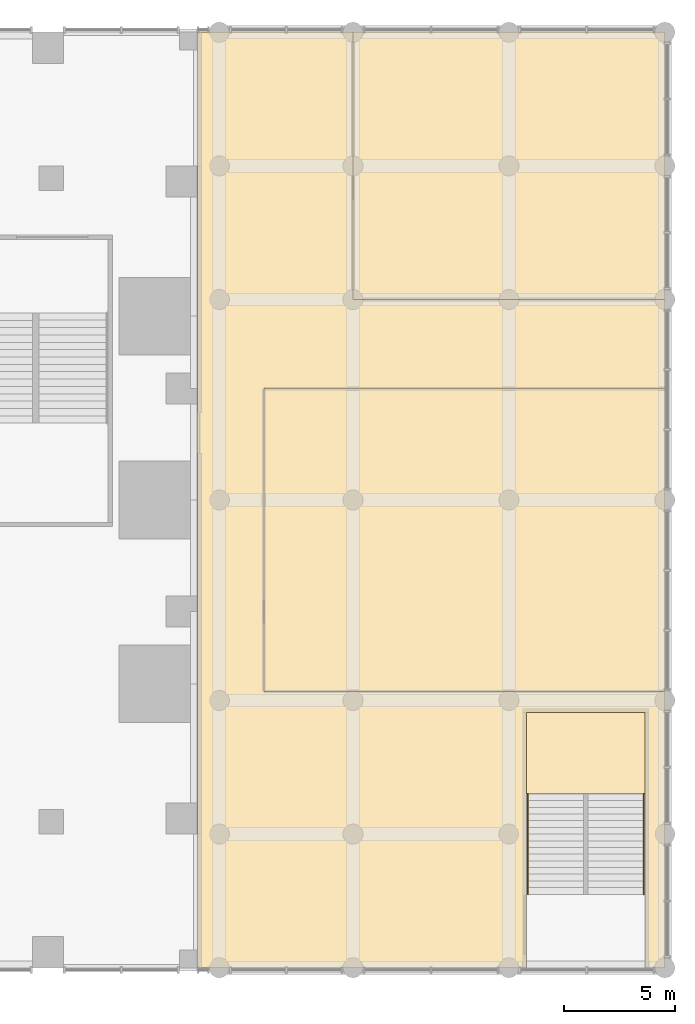
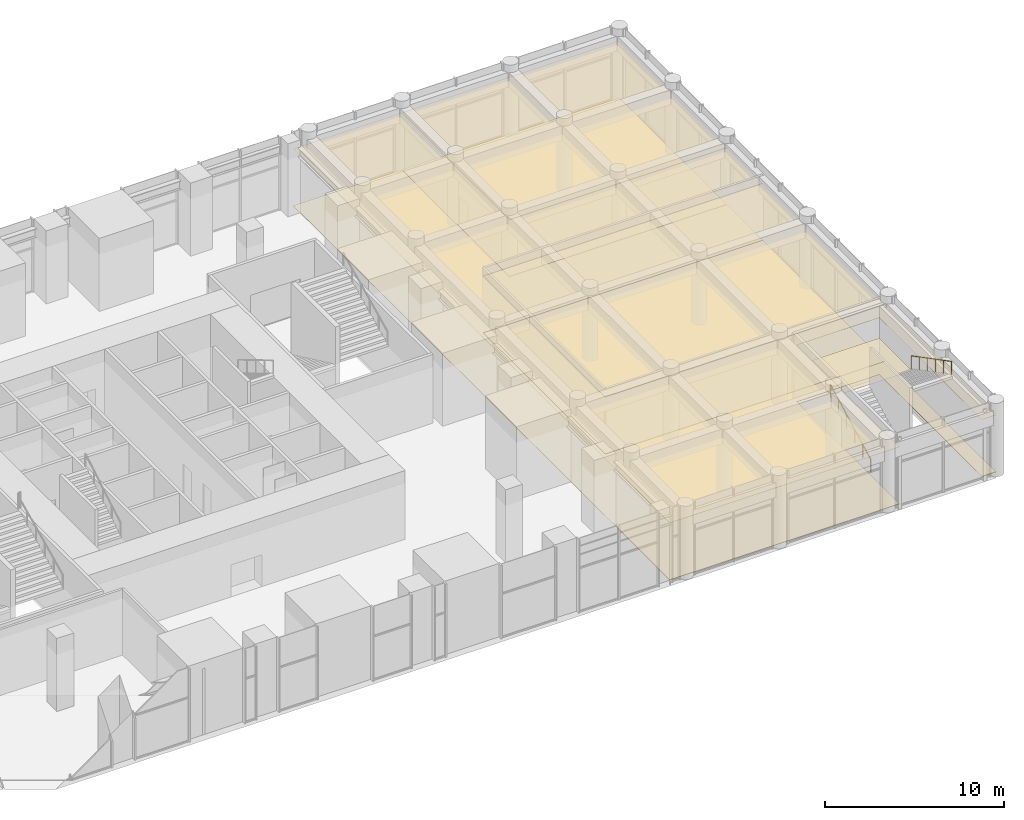
# One storey, part 23 of 23: 7 coverings, 2 railings.
"""IFC4 building model written with IfcOpenShell, lengths in metres."""

import ifcopenshell
import ifcopenshell.guid

model = None  # the IFC model being written
_history = None  # IfcOwnerHistory: only IFC2X3 demands one
_inside = {}  # id of a spatial element -> (the spatial element, [elements in it])
_under = {}  # id of a project, library or spatial element -> (it, [spatial elements below it])
_declared = {}  # id of a project -> (the project, [libraries it declares])
_typed = {}  # id of a type object -> (the type object, [elements of that type])
_made_of = {}  # id of a material, layer set ... -> (it, [elements and type objects made of it])


def new_model(schema):
    """Start an empty IFC model of exactly this schema.

    Asked for "IFC4X3", IfcOpenShell would pick the latest addendum, in which some entities
    have other attributes; the version numbers below select the first issue.
    IFC2X3 requires an IfcOwnerHistory on every rooted entity: one is made here for all.
    """
    global model, _history
    if schema == "IFC4X3":
        model = ifcopenshell.file(schema_version=(4, 3, 0, 0))
    else:
        model = ifcopenshell.file(schema=schema)
    _inside.clear()
    _under.clear()
    _declared.clear()
    _typed.clear()
    _made_of.clear()
    _history = None
    if model.schema == "IFC2X3":
        org = make("IfcOrganization", Name="unknown")
        user = make(
            "IfcPersonAndOrganization",
            ThePerson=make("IfcPerson", FamilyName="unknown"),
            TheOrganization=org,
        )
        app = make(
            "IfcApplication",
            ApplicationDeveloper=org,
            Version="unknown",
            ApplicationFullName="unknown",
            ApplicationIdentifier="unknown",
        )
        _history = make(
            "IfcOwnerHistory",
            OwningUser=user,
            OwningApplication=app,
            ChangeAction="ADDED",
            CreationDate=0,
        )
    return model


def make(cls, **values):
    """One entity of the class cls with the attributes given. An attribute that is None is left unset."""
    return model.create_entity(
        cls, **{name: value for name, value in values.items() if value is not None}
    )


def rooted(cls, **values):
    """An entity with a GlobalId (a new one), such as an element, a storey or a relation."""
    return make(cls, GlobalId=ifcopenshell.guid.new(), OwnerHistory=_history, **values)


def si_unit(unit_type, name, prefix=None):
    """IfcSIUnit, for example si_unit("LENGTHUNIT", "METRE", prefix="MILLI")."""
    return make("IfcSIUnit", UnitType=unit_type, Prefix=prefix, Name=name)


def assignment(units):
    """IfcUnitAssignment: the units of a project."""
    return None if units is None else make("IfcUnitAssignment", Units=units)


def point(xyz):
    """IfcCartesianPoint."""
    return None if xyz is None else make("IfcCartesianPoint", Coordinates=xyz)


def direction(xyz):
    """IfcDirection."""
    return None if xyz is None else make("IfcDirection", DirectionRatios=xyz)


def frame(location, z_axis=None, x_axis=None):
    """IfcAxis2Placement3D, a coordinate frame: its origin and axes. An axis left out is left unset."""
    return make(
        "IfcAxis2Placement3D",
        Location=point(location),
        Axis=direction(z_axis),
        RefDirection=direction(x_axis),
    )


def frame_2d(location, x_axis=None):
    """IfcAxis2Placement2D, a coordinate frame in the plane: its origin and x axis."""
    return make(
        "IfcAxis2Placement2D", Location=point(location), RefDirection=direction(x_axis)
    )


def origin():
    """The frame at (0, 0, 0) with its axes left unset."""
    return frame((0.0, 0.0, 0.0))


def origin_2d():
    """The frame at (0, 0) in the plane with its x axis left unset."""
    return frame_2d((0.0, 0.0))


def place(relative_to, where):
    """IfcLocalPlacement: puts the frame where relative to a parent placement (None: the world)."""
    return make(
        "IfcLocalPlacement", PlacementRelTo=relative_to, RelativePlacement=where
    )


def context(
    kind, dimensions, precision=None, world=None, true_north=None, identifier=None
):
    """IfcGeometricRepresentationContext, for example the 3D "Model" context."""
    return make(
        "IfcGeometricRepresentationContext",
        ContextIdentifier=identifier,
        ContextType=kind,
        CoordinateSpaceDimension=dimensions,
        Precision=precision,
        WorldCoordinateSystem=world,
        TrueNorth=true_north,
    )


def subcontext(parent, identifier, kind, view, scale=None):
    """IfcGeometricRepresentationSubContext, for example "Body" below "Model"."""
    return make(
        "IfcGeometricRepresentationSubContext",
        ContextIdentifier=identifier,
        ContextType=kind,
        ParentContext=parent,
        TargetScale=scale,
        TargetView=view,
    )


def project(units=None, contexts=None):
    """IfcProject with its units and contexts."""
    return rooted(
        "IfcProject",
        Name="project",
        RepresentationContexts=contexts,
        UnitsInContext=assignment(units),
    )


def spatial(cls, under=None, at=None, **own):
    """A site, building, storey or space (cls), placed at a placement, below another one or the project."""
    s = rooted(cls, ObjectPlacement=at, **own)
    if under is not None:
        _under.setdefault(under.id(), (under, []))[1].append(s)
    return s


def polyline(points):
    """IfcPolyline through the points."""
    return make("IfcPolyline", Points=[point(p) for p in points])


def profile(cls, at=None, kind="AREA", **sizes):
    """A parametric profile (cls). Its sizes go by their IFC names, for example OverallWidth=200.0."""
    return make(cls, ProfileType=kind, Position=at, **sizes)


def circle(**sizes):
    """IfcCircleProfileDef."""
    return profile("IfcCircleProfileDef", **sizes)


def outline(outer, holes=None, kind="AREA"):
    """IfcArbitraryClosedProfileDef: a profile drawn as a closed curve; with holes, ...WithVoids."""
    if holes is None:
        return make("IfcArbitraryClosedProfileDef", ProfileType=kind, OuterCurve=outer)
    return make(
        "IfcArbitraryProfileDefWithVoids",
        ProfileType=kind,
        OuterCurve=outer,
        InnerCurves=holes,
    )


def extrude(swept, where, along, depth):
    """IfcExtrudedAreaSolid: the profile swept, set in the frame where, extruded along a direction by depth."""
    return make(
        "IfcExtrudedAreaSolid",
        SweptArea=swept,
        Position=where,
        ExtrudedDirection=direction(along),
        Depth=depth,
    )


def shape(context_of_items, identifier, shape_type, items):
    """IfcShapeRepresentation: the items that make up one representation, for example the "Body"."""
    return make(
        "IfcShapeRepresentation",
        ContextOfItems=context_of_items,
        RepresentationIdentifier=identifier,
        RepresentationType=shape_type,
        Items=items,
    )


def material(Name=None, Category=None):
    """IfcMaterial."""
    return make("IfcMaterial", Name=Name, Category=Category)


def layer(
    of_material, thickness, ventilated=None, Name=None, Category=None, Priority=None
):
    """IfcMaterialLayer: one layer of a wall or slab, of a material (None: an air gap)."""
    return make(
        "IfcMaterialLayer",
        Material=of_material,
        LayerThickness=thickness,
        IsVentilated=ventilated,
        Name=Name,
        Category=Category,
        Priority=Priority,
    )


def layer_set(layers, Name=None):
    """IfcMaterialLayerSet."""
    return make("IfcMaterialLayerSet", MaterialLayers=layers, LayerSetName=Name)


def made_of(thing, what):
    """Note that an element or type object is made of a material, layer set ...; save() writes the relation."""
    if what is not None:
        _made_of.setdefault(what.id(), (what, []))[1].append(thing)
    return thing


def type_object(cls, material=None, **own):
    """A type object (cls), such as IfcWallType, which elements share."""
    return made_of(rooted(cls, **own), material)


def element(
    cls,
    number,
    at=None,
    inside=None,
    cuts=None,
    type_object=None,
    material=None,
    context=None,
    identifier="Body",
    shape_type=None,
    held_by="IfcProductDefinitionShape",
    body=None,
    shapes=None,
    **own,
):
    """One element of the class cls, such as IfcWall. Its Tag is "e" and its number.

    at: its placement. inside: the storey or other place that contains it. cuts: it is an
    opening in that element (IfcRelVoidsElement). A single representation is given by context,
    identifier, shape_type and body (its items); several are given by shapes. held_by: the class
    of the entity that holds the representations. save() writes the other relations.
    """
    e = rooted(cls, Tag="e%d" % number, ObjectPlacement=at, **own)
    if body is not None:
        shapes = [shape(context, identifier, shape_type, body)]
    if shapes is not None:
        e.Representation = make(held_by, Representations=shapes)
    if inside is not None:
        _inside.setdefault(inside.id(), (inside, []))[1].append(e)
    if cuts is not None:
        rooted(
            "IfcRelVoidsElement", RelatingBuildingElement=cuts, RelatedOpeningElement=e
        )
    if type_object is not None:
        _typed.setdefault(type_object.id(), (type_object, []))[1].append(e)
    return made_of(e, material)


def aggregate(whole, parts):
    """IfcRelAggregates: a whole, such as a stair, and the parts it consists of."""
    return rooted("IfcRelAggregates", RelatingObject=whole, RelatedObjects=parts)


def save(model, path):
    """Write the relations noted so far, then the file.

    IfcRelAggregates (storeys below a building ...), IfcRelContainedInSpatialStructure (elements
    in a storey), IfcRelDefinesByType, IfcRelAssociatesMaterial and IfcRelDeclares: one each for
    every whole, place, type object, material and project.
    """
    for whole, parts in _under.values():
        aggregate(whole, parts)
    for where, things in _inside.values():
        rooted(
            "IfcRelContainedInSpatialStructure",
            RelatedElements=things,
            RelatingStructure=where,
        )
    for kind, things in _typed.values():
        rooted("IfcRelDefinesByType", RelatedObjects=things, RelatingType=kind)
    for what, things in _made_of.values():
        rooted("IfcRelAssociatesMaterial", RelatedObjects=things, RelatingMaterial=what)
    for by, libraries in _declared.values():
        rooted("IfcRelDeclares", RelatingContext=by, RelatedDefinitions=libraries)
    model.write(path)


model = new_model("IFC4")

# Units and contexts
model_context = context("Model", 3, precision=1e-05, world=origin(), true_north=direction((0.0, 1.0)))
body_context = subcontext(model_context, "Body", "Model", "MODEL_VIEW")
ifc_project = project(units=[si_unit("LENGTHUNIT", "METRE"), si_unit("AREAUNIT", "SQUARE_METRE"), si_unit("VOLUMEUNIT", "CUBIC_METRE"), si_unit("PLANEANGLEUNIT", "RADIAN"), si_unit("MASSUNIT", "GRAM", prefix="KILO")], contexts=[model_context])

# Site, building, storey
site_placement = place(None, origin())
site = spatial("IfcSite", under=ifc_project, at=site_placement, CompositionType="ELEMENT")
building_placement = place(site_placement, origin())
building = spatial("IfcBuilding", under=site, at=building_placement, Name="Svetlomir Tower", CompositionType="ELEMENT")
storey_placement = place(building_placement, frame((0.0, 0.0, 6.0)))
storey = spatial("IfcBuildingStorey", under=building, at=storey_placement, Name="L01", CompositionType="ELEMENT", Elevation=6.0)

# Railings
ifc_material_1 = material(Name="Stainless steel", Category="steel")
railing_type = type_object("IfcRailingType", Name="HANDRAIL HR1 900", PredefinedType="HANDRAIL", material=ifc_material_1)
railing_1_placement = place(storey_placement, frame((56.85009765625, 3.300048828125, 0.15625)))
element("IfcRailing", 1, at=railing_1_placement, inside=storey, type_object=railing_type, Name="Handrail P4 flight 1 L01", PredefinedType="HANDRAIL", context=body_context, shape_type="SweptSolid", body=[
    extrude(circle(Radius=0.02392578125, at=origin_2d()), frame((0.0, 0.0, 0.8759765625), z_axis=(0.0, 0.886914084167, 0.461934418837), x_axis=(-1.0, 0.0, 0.0)), (0.0, 0.0, 1.0), 5.07373046875),
    extrude(circle(Radius=0.02099609375, at=origin_2d()), origin(), (0.0, 0.0, 1.0), 0.851806640625),
    extrude(circle(Radius=0.02099609375, at=origin_2d()), frame((0.0, 0.89990234375, 0.46875)), (0.0, 0.0, 1.0), 0.851806640625),
    extrude(circle(Radius=0.02099609375, at=origin_2d()), frame((0.0, 1.800048828125, 0.9375)), (0.0, 0.0, 1.0), 0.851806640625),
    extrude(circle(Radius=0.02099609375, at=origin_2d()), frame((0.0, 2.699951171875, 1.40625)), (0.0, 0.0, 1.0), 0.851806640625),
    extrude(circle(Radius=0.02099609375, at=origin_2d()), frame((0.0, 3.60009765625, 1.875)), (0.0, 0.0, 1.0), 0.851806640625),
    extrude(circle(Radius=0.02099609375, at=origin_2d()), frame((0.0, 4.5, 2.34375)), (0.0, 0.0, 1.0), 0.851806640625),
])
railing_2_placement = place(storey_placement, frame((62.050048828125, 7.800048828125, 2.65625)))
element("IfcRailing", 2, at=railing_2_placement, inside=storey, type_object=railing_type, Name="Handrail P4 flight 2 L01", PredefinedType="HANDRAIL", context=body_context, shape_type="SweptSolid", body=[
    extrude(circle(Radius=0.02392578125, at=origin_2d()), frame((0.0, 0.0, 0.8759765625), z_axis=(0.0, -0.886914084167, 0.461934418837), x_axis=(1.0, 0.0, 0.0)), (0.0, 0.0, 1.0), 5.07373046875),
    extrude(circle(Radius=0.02099609375, at=origin_2d()), origin(), (0.0, 0.0, 1.0), 0.851806640625),
    extrude(circle(Radius=0.02099609375, at=origin_2d()), frame((0.0, -0.89990234375, 0.46875)), (0.0, 0.0, 1.0), 0.851806640625),
    extrude(circle(Radius=0.02099609375, at=origin_2d()), frame((0.0, -1.800048828125, 0.9375)), (0.0, 0.0, 1.0), 0.851806640625),
    extrude(circle(Radius=0.02099609375, at=origin_2d()), frame((0.0, -2.699951171875, 1.40625)), (0.0, 0.0, 1.0), 0.851806640625),
    extrude(circle(Radius=0.02099609375, at=origin_2d()), frame((0.0, -3.60009765625, 1.875)), (0.0, 0.0, 1.0), 0.851806640625),
    extrude(circle(Radius=0.02099609375, at=origin_2d()), frame((0.0, -4.5, 2.34375)), (0.0, 0.0, 1.0), 0.851806640625),
])

# Coverings
ifc_material_2 = material(Name="Gypsum plasterboard ceiling", Category="gypsum")
ifc_layer_1 = layer(ifc_material_2, 0.014892578125)
ifc_layer_set_1 = layer_set([ifc_layer_1], Name="Gypsum plasterboard ceiling")
covering_type_1 = type_object("IfcCoveringType", Name="PLASTERBOARD CEILING 15", PredefinedType="CEILING", material=ifc_layer_set_1)
covering_1_placement = place(storey_placement, frame((0.0, 0.0, 3.885009765625)))
element("IfcCovering", 3, at=covering_1_placement, inside=storey, type_object=covering_type_1, Name="Ceiling L01-16", PredefinedType="CEILING", context=body_context, shape_type="SweptSolid", body=[
    extrude(outline(polyline([(49.0, 30.0), (63.0, 30.0), (63.0, 42.0), (49.0, 42.0), (49.0, 30.0)])), origin(), (0.0, 0.0, 1.0), 0.014892578125),
])
covering_2_placement = place(storey_placement, frame((0.0, 0.0, 3.885009765625)))
element("IfcCovering", 4, at=covering_2_placement, inside=storey, type_object=covering_type_1, Name="Ceiling L01-17", PredefinedType="CEILING", context=body_context, shape_type="SweptSolid", body=[
    extrude(outline(polyline([(45.0, 12.39990234375), (63.0, 12.39990234375), (63.0, 26.0), (45.0, 26.0), (45.0, 12.39990234375)])), origin(), (0.0, 0.0, 1.0), 0.014892578125),
])
covering_3_placement = place(storey_placement, frame((0.0, 0.0, 3.885009765625)))
element("IfcCovering", 5, at=covering_3_placement, inside=storey, type_object=covering_type_1, Name="Ceiling L01-24", PredefinedType="CEILING", context=body_context, shape_type="SweptSolid", body=[
    extrude(outline(polyline([(42.0, 42.0), (49.0, 42.0), (49.0, 30.0), (63.0, 30.0), (63.0, 26.0), (45.0, 26.0), (45.0, 12.39990234375), (63.0, 12.39990234375), (63.0, 0.0), (62.10009765625, 0.0), (62.10009765625, 11.449951171875), (56.800048828125, 11.449951171875), (56.800048828125, 0.0), (42.0, 0.0), (42.0, 42.0)])), origin(), (0.0, 0.0, 1.0), 0.014892578125),
])
ifc_material_3 = material(Name="Studded rubber floor finish", Category="rubber")
ifc_layer_2 = layer(ifc_material_3, 0.006103515625)
ifc_layer_set_2 = layer_set([ifc_layer_2], Name="Studded rubber floor finish")
covering_type_2 = type_object("IfcCoveringType", Name="RUBBER LANDING FINISH 6", PredefinedType="FLOORING", material=ifc_layer_set_2)
covering_4_placement = place(storey_placement, frame((0.0, 0.0, 2.5)))
element("IfcCovering", 6, at=covering_4_placement, inside=storey, type_object=covering_type_2, Name="Stair P4 landing finish L01", PredefinedType="FLOORING", context=body_context, shape_type="SweptSolid", body=[
    extrude(outline(polyline([(56.800048828125, 7.800048828125), (62.10009765625, 7.800048828125), (62.10009765625, 11.449951171875), (56.800048828125, 11.449951171875), (56.800048828125, 7.800048828125)])), origin(), (0.0, 0.0, 1.0), 0.006103515625),
])
ifc_material_4 = material(Name="Bronze-aggregate terrazzo", Category="stone")
ifc_layer_3 = layer(ifc_material_4, 0.030029296875)
ifc_layer_set_3 = layer_set([ifc_layer_3], Name="Bronze-aggregate terrazzo")
covering_type_3 = type_object("IfcCoveringType", Name="TERRAZZO FLOOR 30", PredefinedType="FLOORING", material=ifc_layer_set_3)
covering_5_placement = place(storey_placement, origin())
element("IfcCovering", 7, at=covering_5_placement, inside=storey, type_object=covering_type_3, Name="Floor finish L01-16", PredefinedType="FLOORING", context=body_context, shape_type="SweptSolid", body=[
    extrude(outline(polyline([(49.0, 30.0), (63.0, 30.0), (63.0, 42.0), (49.0, 42.0), (49.0, 30.0)])), origin(), (0.0, 0.0, 1.0), 0.030029296875),
])
covering_6_placement = place(storey_placement, origin())
element("IfcCovering", 8, at=covering_6_placement, inside=storey, type_object=covering_type_3, Name="Floor finish L01-17", PredefinedType="FLOORING", context=body_context, shape_type="SweptSolid", body=[
    extrude(outline(polyline([(45.0, 12.39990234375), (63.0, 12.39990234375), (63.0, 26.0), (45.0, 26.0), (45.0, 12.39990234375)])), origin(), (0.0, 0.0, 1.0), 0.030029296875),
])
covering_7_placement = place(storey_placement, origin())
element("IfcCovering", 9, at=covering_7_placement, inside=storey, type_object=covering_type_3, Name="Floor finish L01-24", PredefinedType="FLOORING", context=body_context, shape_type="SweptSolid", body=[
    extrude(outline(polyline([(42.0, 42.0), (49.0, 42.0), (49.0, 30.0), (63.0, 30.0), (63.0, 26.0), (45.0, 26.0), (45.0, 12.39990234375), (63.0, 12.39990234375), (63.0, 0.0), (62.10009765625, 0.0), (62.10009765625, 11.449951171875), (56.800048828125, 11.449951171875), (56.800048828125, 0.0), (42.0, 0.0), (42.0, 42.0)])), origin(), (0.0, 0.0, 1.0), 0.030029296875),
])

save(model, "model.ifc")
